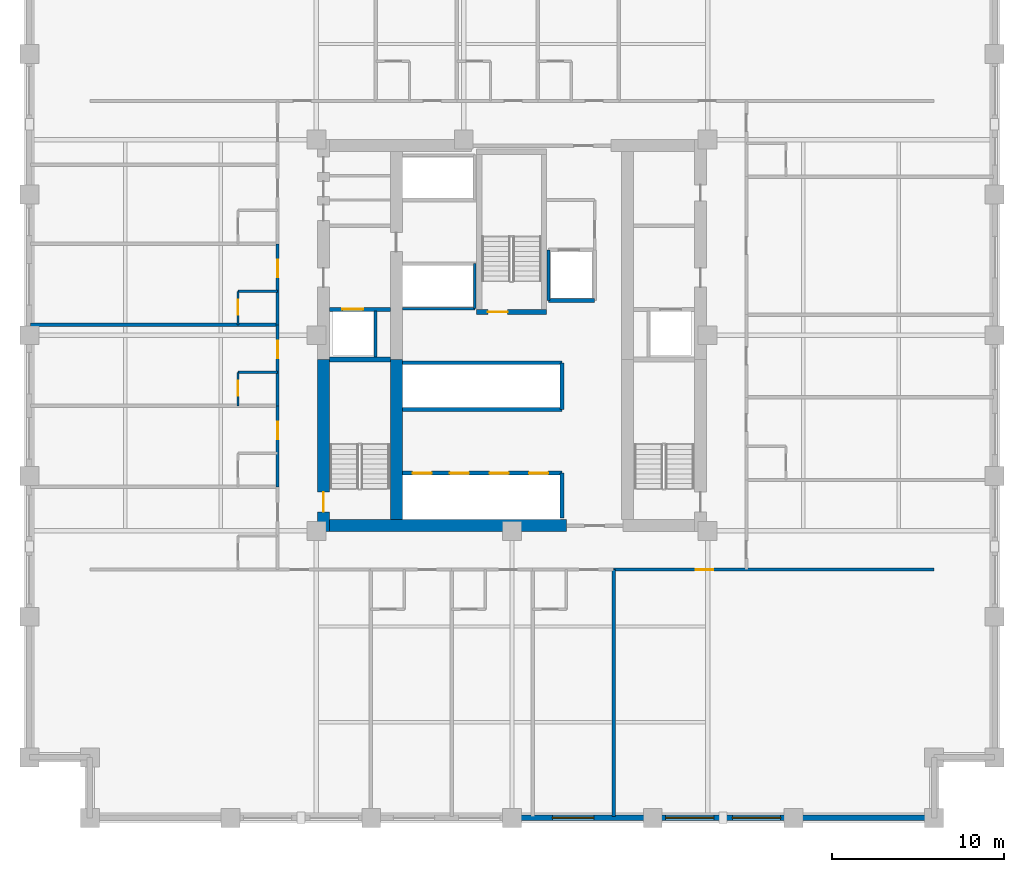
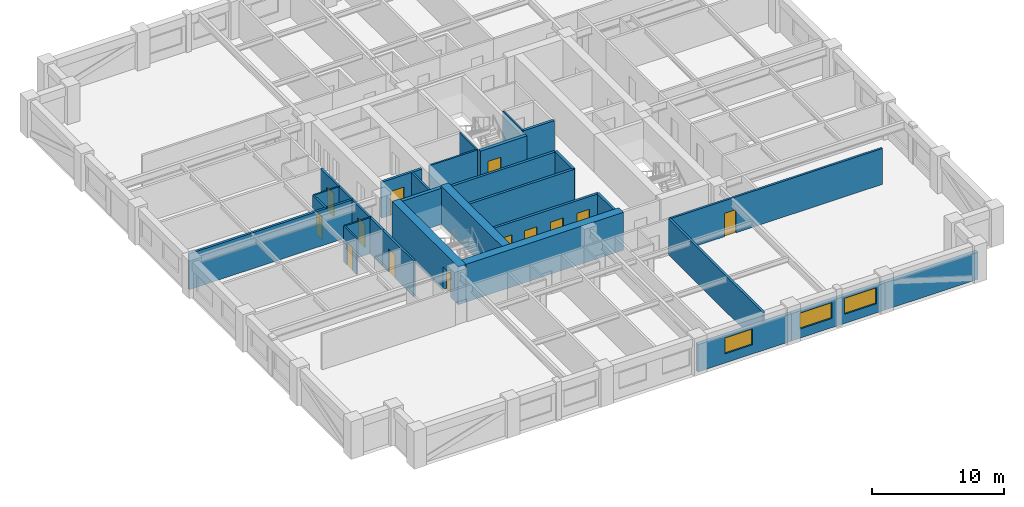
# One storey, part 3 of 8: 29 walls, 13 doors, 3 windows, 16 openings.
"""IFC4 building model written with IfcOpenShell, lengths in metres."""

from ifc_helpers import new_model, si_unit, direction, frame, frame_2d, origin, place, context, subcontext, project, spatial, rectangle, extrude, material, layer, layer_set, type_object, element, fill, save


model = new_model("IFC4")

# Units and contexts
model_context = context("Model", 3, precision=1e-05, world=origin(), true_north=direction((0.0, 1.0)))
body_context = subcontext(model_context, "Body", "Model", "MODEL_VIEW")
ifc_project = project(units=[si_unit("LENGTHUNIT", "METRE"), si_unit("AREAUNIT", "SQUARE_METRE"), si_unit("VOLUMEUNIT", "CUBIC_METRE"), si_unit("PLANEANGLEUNIT", "RADIAN"), si_unit("MASSUNIT", "GRAM", prefix="KILO")], contexts=[model_context])

# Site, building, storey
site_placement = place(None, origin())
site = spatial("IfcSite", under=ifc_project, at=site_placement, CompositionType="ELEMENT")
building_placement = place(site_placement, origin())
building = spatial("IfcBuilding", under=site, at=building_placement, Name="Nhamokura Convention Tower", CompositionType="ELEMENT")
storey_placement = place(building_placement, frame((0.0, 0.0, 42.35009765625)))
storey = spatial("IfcBuildingStorey", under=building, at=storey_placement, Name="L08", CompositionType="ELEMENT", Elevation=42.35009765625)

# Wall
ifc_material_1 = material(Name="Moisture-resistant tile-backer partition", Category="masonry")
ifc_layer_1 = layer(ifc_material_1, 0.139892578125)
ifc_layer_set_1 = layer_set([ifc_layer_1], Name="BathroomWetWall_140")
wall_type_1 = type_object("IfcWallType", Name="BathroomWetWall_140", PredefinedType="STANDARD", material=ifc_layer_set_1)
wall_1_placement = place(storey_placement, frame((16.10009765625, 29.85009765625, 0.0), z_axis=(0.0, 0.0, 1.0), x_axis=(1.0, 0.0, 0.0)))
element("IfcWall", 1, at=wall_1_placement, inside=storey, type_object=wall_type_1, Name="L08 Wall INT-L08-BW-W02N", PredefinedType="STANDARD", context=body_context, shape_type="SweptSolid", body=[
    extrude(rectangle(XDim=2.2998046875, YDim=0.139892578125, at=frame_2d((1.14990234375, 0.0))), origin(), (0.0, 0.0, 1.0), 3.31982421875),
])

# Wall, opening, door
wall_2_placement = place(storey_placement, frame((16.10009765625, 27.89990234375, 0.0), z_axis=(0.0, 0.0, 1.0), x_axis=(0.0, 1.0, 0.0)))
wall_2 = element("IfcWall", 2, at=wall_2_placement, inside=storey, type_object=wall_type_1, Name="L08 Wall INT-L08-BW-W02W", PredefinedType="STANDARD", context=body_context, shape_type="SweptSolid", body=[
    extrude(rectangle(XDim=1.9501953125, YDim=0.139892578125, at=frame_2d((0.97509765625, 0.0))), origin(), (0.0, 0.0, 1.0), 3.31982421875),
])
opening_1_placement = place(wall_2_placement, frame((0.580078125, 0.0, 0.0)))
opening_1 = element("IfcOpeningElement", 3, at=opening_1_placement, cuts=wall_2, Name="Opening D-11", PredefinedType="OPENING", context=body_context, shape_type="SweptSolid", body=[
    extrude(rectangle(XDim=0.8798828125, YDim=2.10009765625, at=frame_2d((0.43994140625, 1.050048828125))), frame((0.0, 0.079833984375, 0.0), z_axis=(0.0, -1.0, 0.0), x_axis=(1.0, 0.0, 0.0)), (0.0, 0.0, 1.0), 0.159912109375),
])
ifc_material_2 = material(Name="Solid oak hardwood", Category="wood")
door_type_1 = type_object("IfcDoorType", Name="BathroomDoor_880", OperationType="NOTDEFINED", PredefinedType="DOOR", material=ifc_material_2)
door_1_placement = place(opening_1_placement, origin())
door_1 = element("IfcDoor", 4, at=door_1_placement, inside=storey, type_object=door_type_1, Name="L08 Guest Room En-suite Door", OperationType="SINGLE_SWING_RIGHT", OverallHeight=2.10009765625, OverallWidth=0.8798828125, PredefinedType="DOOR", context=body_context, shape_type="SweptSolid", body=[
    extrude(rectangle(XDim=0.8798828125, YDim=2.10009765625, at=frame_2d((0.43994140625, 1.050048828125))), frame((0.0, 0.02490234375, 0.0), z_axis=(0.0, -1.0, 0.0), x_axis=(1.0, 0.0, 0.0)), (0.0, 0.0, 1.0), 0.050048828125),
])
fill(opening_1, door_1)

# Wall
wall_3_placement = place(storey_placement, frame((16.10009765625, 34.550048828125, 0.0), z_axis=(0.0, 0.0, 1.0), x_axis=(1.0, 0.0, 0.0)))
element("IfcWall", 5, at=wall_3_placement, inside=storey, type_object=wall_type_1, Name="L08 Wall INT-L08-BW-W03N", PredefinedType="STANDARD", context=body_context, shape_type="SweptSolid", body=[
    extrude(rectangle(XDim=2.2998046875, YDim=0.139892578125, at=frame_2d((1.14990234375, 0.0))), origin(), (0.0, 0.0, 1.0), 3.31982421875),
])

# Wall, opening, door
wall_4_placement = place(storey_placement, frame((16.10009765625, 32.60009765625, 0.0), z_axis=(0.0, 0.0, 1.0), x_axis=(0.0, 1.0, 0.0)))
wall_4 = element("IfcWall", 6, at=wall_4_placement, inside=storey, type_object=wall_type_1, Name="L08 Wall INT-L08-BW-W03W", PredefinedType="STANDARD", context=body_context, shape_type="SweptSolid", body=[
    extrude(rectangle(XDim=1.949951171875, YDim=0.139892578125, at=frame_2d((0.97509765625, 0.0))), origin(), (0.0, 0.0, 1.0), 3.31982421875),
])
opening_2_placement = place(wall_4_placement, frame((0.580078125, 0.0, 0.0)))
opening_2 = element("IfcOpeningElement", 7, at=opening_2_placement, cuts=wall_4, Name="Opening D-11", PredefinedType="OPENING", context=body_context, shape_type="SweptSolid", body=[
    extrude(rectangle(XDim=0.8798828125, YDim=2.10009765625, at=frame_2d((0.43994140625, 1.050048828125))), frame((0.0, 0.079833984375, 0.0), z_axis=(0.0, -1.0, 0.0), x_axis=(1.0, 0.0, 0.0)), (0.0, 0.0, 1.0), 0.159912109375),
])
door_2_placement = place(opening_2_placement, origin())
door_2 = element("IfcDoor", 8, at=door_2_placement, inside=storey, type_object=door_type_1, Name="L08 Club Room En-suite Door", OperationType="SINGLE_SWING_RIGHT", OverallHeight=2.10009765625, OverallWidth=0.8798828125, PredefinedType="DOOR", context=body_context, shape_type="SweptSolid", body=[
    extrude(rectangle(XDim=0.8798828125, YDim=2.10009765625, at=frame_2d((0.43994140625, 1.050048828125))), frame((0.0, 0.02490234375, 0.0), z_axis=(0.0, -1.0, 0.0), x_axis=(1.0, 0.0, 0.0)), (0.0, 0.0, 1.0), 0.050048828125),
])
fill(opening_2, door_2)

# Wall, opening, window
ifc_material_3 = material(Name="Bronze-pigmented precast concrete C45/55", Category="concrete")
ifc_layer_2 = layer(ifc_material_3, 0.320068359375)
ifc_layer_set_2 = layer_set([ifc_layer_2], Name="BronzePrecastSpandrel_320")
wall_type_2 = type_object("IfcWallType", Name="BronzePrecastSpandrel_320", PredefinedType="USERDEFINED", material=ifc_layer_set_2)
wall_5_placement = place(storey_placement, frame((40.166748046875, 4.0, 0.0), z_axis=(0.0, 0.0, 1.0), x_axis=(-1.0, 0.0, 0.0)))
wall_5 = element("IfcWall", 9, at=wall_5_placement, inside=storey, type_object=wall_type_2, Name="L08 Masonry-Frame Wall SOUTH 3", ObjectType="SPANDREL_WALL", PredefinedType="USERDEFINED", context=body_context, shape_type="SweptSolid", body=[
    extrude(rectangle(XDim=8.166748046875, YDim=0.320068359375, at=frame_2d((4.08349609375, 0.0))), origin(), (0.0, 0.0, 1.0), 2.52001953125),
])
opening_3_placement = place(wall_5_placement, frame((3.416748046875, 0.0, 0.85009765625)))
opening_3 = element("IfcOpeningElement", 10, at=opening_3_placement, cuts=wall_5, Name="Opening W-03", PredefinedType="OPENING", context=body_context, shape_type="SweptSolid", body=[
    extrude(rectangle(XDim=2.39990234375, YDim=1.469970703125, at=frame_2d((1.199951171875, 0.73486328125))), frame((0.0, 0.169921875, 0.0), z_axis=(0.0, -1.0, 0.0), x_axis=(1.0, 0.0, 0.0)), (0.0, 0.0, 1.0), 0.340087890625),
])
ifc_material_4 = material(Name="Solar-control bronze low-E double glass", Category="glass")
window_type_1 = type_object("IfcWindowType", Name="HotelBayWindow_2400", PartitioningType="DOUBLE_PANEL_VERTICAL", PredefinedType="WINDOW", material=ifc_material_4)
window_1_placement = place(opening_3_placement, origin())
window_1 = element("IfcWindow", 11, at=window_1_placement, inside=storey, type_object=window_type_1, Name="L08 Facade Window SOUTH 3-2", OverallHeight=1.469970703125, OverallWidth=2.39990234375, PartitioningType="SINGLE_PANEL", PredefinedType="WINDOW", context=body_context, shape_type="SweptSolid", body=[
    extrude(rectangle(XDim=2.39990234375, YDim=1.469970703125, at=frame_2d((1.199951171875, 0.73486328125))), frame((0.0, 0.030029296875, 0.0), z_axis=(0.0, -1.0, 0.0), x_axis=(1.0, 0.0, 0.0)), (0.0, 0.0, 1.0), 0.06005859375),
])
fill(opening_3, window_1)

# Wall, openings, windows
wall_6_placement = place(storey_placement, frame((48.333251953125, 4.0, 0.0), z_axis=(0.0, 0.0, 1.0), x_axis=(-1.0, 0.0, 0.0)))
wall_6 = element("IfcWall", 12, at=wall_6_placement, inside=storey, type_object=wall_type_2, Name="L08 Masonry-Frame Wall SOUTH 4", ObjectType="SPANDREL_WALL", PredefinedType="USERDEFINED", context=body_context, shape_type="SweptSolid", body=[
    extrude(rectangle(XDim=8.16650390625, YDim=0.320068359375, at=frame_2d((4.083251953125, 0.0))), origin(), (0.0, 0.0, 1.0), 2.52001953125),
])
opening_4_placement = place(wall_6_placement, frame((0.74169921875, 0.0, 0.85009765625)))
opening_4 = element("IfcOpeningElement", 13, at=opening_4_placement, cuts=wall_6, Name="Opening W-04", PredefinedType="OPENING", context=body_context, shape_type="SweptSolid", body=[
    extrude(rectangle(XDim=2.800048828125, YDim=1.469970703125, at=frame_2d((1.39990234375, 0.73486328125))), frame((0.0, 0.169921875, 0.0), z_axis=(0.0, -1.0, 0.0), x_axis=(1.0, 0.0, 0.0)), (0.0, 0.0, 1.0), 0.340087890625),
])
opening_5_placement = place(wall_6_placement, frame((4.625, 0.0, 0.85009765625)))
opening_5 = element("IfcOpeningElement", 14, at=opening_5_placement, cuts=wall_6, Name="Opening W-04", PredefinedType="OPENING", context=body_context, shape_type="SweptSolid", body=[
    extrude(rectangle(XDim=2.800048828125, YDim=1.469970703125, at=frame_2d((1.39990234375, 0.73486328125))), frame((0.0, 0.169921875, 0.0), z_axis=(0.0, -1.0, 0.0), x_axis=(1.0, 0.0, 0.0)), (0.0, 0.0, 1.0), 0.340087890625),
])
ifc_material_5 = material(Name="Solar-control bronze low-E double glass", Category="glass")
window_type_2 = type_object("IfcWindowType", Name="HotelSuiteWindow_2800", PartitioningType="DOUBLE_PANEL_VERTICAL", PredefinedType="WINDOW", material=ifc_material_5)
window_2_placement = place(opening_4_placement, origin())
window_2 = element("IfcWindow", 15, at=window_2_placement, inside=storey, type_object=window_type_2, Name="L08 Facade Window SOUTH 4-1", OverallHeight=1.469970703125, OverallWidth=2.800048828125, PartitioningType="SINGLE_PANEL", PredefinedType="WINDOW", context=body_context, shape_type="SweptSolid", body=[
    extrude(rectangle(XDim=2.800048828125, YDim=1.469970703125, at=frame_2d((1.39990234375, 0.73486328125))), frame((0.0, 0.030029296875, 0.0), z_axis=(0.0, -1.0, 0.0), x_axis=(1.0, 0.0, 0.0)), (0.0, 0.0, 1.0), 0.06005859375),
])
fill(opening_4, window_2)
window_3_placement = place(opening_5_placement, origin())
window_3 = element("IfcWindow", 16, at=window_3_placement, inside=storey, type_object=window_type_2, Name="L08 Facade Window SOUTH 4-2", OverallHeight=1.469970703125, OverallWidth=2.800048828125, PartitioningType="SINGLE_PANEL", PredefinedType="WINDOW", context=body_context, shape_type="SweptSolid", body=[
    extrude(rectangle(XDim=2.800048828125, YDim=1.469970703125, at=frame_2d((1.39990234375, 0.73486328125))), frame((0.0, 0.030029296875, 0.0), z_axis=(0.0, -1.0, 0.0), x_axis=(1.0, 0.0, 0.0)), (0.0, 0.0, 1.0), 0.06005859375),
])
fill(opening_5, window_3)

# Wall
wall_7_placement = place(storey_placement, frame((56.5, 4.0, 0.0), z_axis=(0.0, 0.0, 1.0), x_axis=(-1.0, 0.0, 0.0)))
element("IfcWall", 17, at=wall_7_placement, inside=storey, type_object=wall_type_2, Name="L08 Braced-Bay Precast Wall SOUTH 5", ObjectType="SPANDREL_WALL", PredefinedType="USERDEFINED", context=body_context, shape_type="SweptSolid", body=[
    extrude(rectangle(XDim=8.166748046875, YDim=0.320068359375, at=frame_2d((4.08349609375, 0.0))), origin(), (0.0, 0.0, 1.0), 2.52001953125),
])

# Wall, opening, door
ifc_material_6 = material(Name="Concrete C70/85", Category="concrete")
ifc_layer_3 = layer(ifc_material_6, 0.699951171875)
ifc_layer_set_3 = layer_set([ifc_layer_3], Name="CoreShearWall_700")
wall_type_3 = type_object("IfcWallType", Name="CoreShearWall_700", PredefinedType="SHEAR", material=ifc_layer_set_3)
wall_8_placement = place(storey_placement, frame((21.06005859375, 20.60009765625, 0.0), z_axis=(0.0, 0.0, 1.0), x_axis=(0.0, 1.0, 0.0)))
wall_8 = element("IfcWall", 18, at=wall_8_placement, inside=storey, type_object=wall_type_3, Name="L08 Core Shear Wall CW-WS", PredefinedType="SHEAR", context=body_context, shape_type="SweptSolid", body=[
    extrude(rectangle(XDim=10.0, YDim=0.699951171875, at=frame_2d((5.0, 0.0))), origin(), (0.0, 0.0, 1.0), 3.5),
])
opening_6_placement = place(wall_8_placement, frame((1.14990234375, 0.0, 0.0)))
opening_6 = element("IfcOpeningElement", 19, at=opening_6_placement, cuts=wall_8, Name="Opening D-04", PredefinedType="OPENING", context=body_context, shape_type="SweptSolid", body=[
    extrude(rectangle(XDim=1.14990234375, YDim=2.14990234375, at=frame_2d((0.574951171875, 1.074951171875))), frame((0.0, 0.35986328125, 0.0), z_axis=(0.0, -1.0, 0.0), x_axis=(1.0, 0.0, 0.0)), (0.0, 0.0, 1.0), 0.719970703125),
])
ifc_material_7 = material(Name="Fire-rated steel door", Category="steel")
door_type_2 = type_object("IfcDoorType", Name="StairSmokeDoor_1150", OperationType="NOTDEFINED", PredefinedType="DOOR", material=ifc_material_7)
door_3_placement = place(opening_6_placement, origin())
door_3 = element("IfcDoor", 20, at=door_3_placement, inside=storey, type_object=door_type_2, Name="L08 Core Door INT-L08-D-ST01", OperationType="SINGLE_SWING_LEFT", OverallHeight=2.14990234375, OverallWidth=1.14990234375, PredefinedType="DOOR", context=body_context, shape_type="SweptSolid", body=[
    extrude(rectangle(XDim=1.14990234375, YDim=2.14990234375, at=frame_2d((0.574951171875, 1.074951171875))), frame((0.0, 0.02490234375, 0.0), z_axis=(0.0, -1.0, 0.0), x_axis=(1.0, 0.0, 0.0)), (0.0, 0.0, 1.0), 0.050048828125),
])
fill(opening_6, door_3)

# Walls
wall_9_placement = place(storey_placement, frame((21.409912109375, 20.949951171875, 0.0), z_axis=(0.0, 0.0, 1.0), x_axis=(1.0, 0.0, 0.0)))
element("IfcWall", 21, at=wall_9_placement, inside=storey, type_object=wall_type_3, Name="L08 Core Shear Wall CW-S1", PredefinedType="SHEAR", context=body_context, shape_type="SweptSolid", body=[
    extrude(rectangle(XDim=13.739990234375, YDim=0.699951171875, at=frame_2d((6.8701171875, 0.0))), origin(), (0.0, 0.0, 1.0), 3.5),
])
wall_10_placement = place(storey_placement, frame((25.2900390625, 21.300048828125, 0.0), z_axis=(0.0, 0.0, 1.0), x_axis=(0.0, 1.0, 0.0)))
element("IfcWall", 22, at=wall_10_placement, inside=storey, type_object=wall_type_3, Name="L08 Core Shear Wall CW-IWS", PredefinedType="SHEAR", context=body_context, shape_type="SweptSolid", body=[
    extrude(rectangle(XDim=9.300048828125, YDim=0.699951171875, at=frame_2d((4.64990234375, 0.0))), origin(), (0.0, 0.0, 1.0), 3.5),
])

# Wall, opening, door
ifc_material_8 = material(Name="Fire-rated gypsum and masonry partition", Category="masonry")
ifc_layer_4 = layer(ifc_material_8, 0.179931640625)
ifc_layer_set_4 = layer_set([ifc_layer_4], Name="CorridorRatedWall_180")
wall_type_4 = type_object("IfcWallType", Name="CorridorRatedWall_180", PredefinedType="STANDARD", material=ifc_layer_set_4)
wall_11_placement = place(storey_placement, frame((37.89990234375, 18.39990234375, 0.0), z_axis=(0.0, 0.0, 1.0), x_axis=(1.0, 0.0, 0.0)))
wall_11 = element("IfcWall", 23, at=wall_11_placement, inside=storey, type_object=wall_type_4, Name="L08 Wall INT-L08-CW-S04", PredefinedType="STANDARD", context=body_context, shape_type="SweptSolid", body=[
    extrude(rectangle(XDim=18.60009765625, YDim=0.179931640625, at=frame_2d((9.300048828125, 0.0))), origin(), (0.0, 0.0, 1.0), 3.31982421875),
])
opening_7_placement = place(wall_11_placement, frame((4.77490234375, 0.0, 0.0)))
opening_7 = element("IfcOpeningElement", 24, at=opening_7_placement, cuts=wall_11, Name="Opening D-07", PredefinedType="OPENING", context=body_context, shape_type="SweptSolid", body=[
    extrude(rectangle(XDim=1.0, YDim=2.14990234375, at=frame_2d((0.5, 1.074951171875))), frame((0.0, 0.099853515625, 0.0), z_axis=(0.0, -1.0, 0.0), x_axis=(1.0, 0.0, 0.0)), (0.0, 0.0, 1.0), 0.199951171875),
])
ifc_material_9 = material(Name="Solid oak hardwood", Category="wood")
door_type_3 = type_object("IfcDoorType", Name="HotelSuiteEntryDoor_1000", OperationType="NOTDEFINED", PredefinedType="DOOR", material=ifc_material_9)
door_4_placement = place(opening_7_placement, origin())
door_4 = element("IfcDoor", 25, at=door_4_placement, inside=storey, type_object=door_type_3, Name="L08 Conference Salon S05 Door", OperationType="SINGLE_SWING_LEFT", OverallHeight=2.14990234375, OverallWidth=1.0, PredefinedType="DOOR", context=body_context, shape_type="SweptSolid", body=[
    extrude(rectangle(XDim=1.0, YDim=2.14990234375, at=frame_2d((0.5, 1.074951171875))), frame((0.0, 0.02490234375, 0.0), z_axis=(0.0, -1.0, 0.0), x_axis=(1.0, 0.0, 0.0)), (0.0, 0.0, 1.0), 0.050048828125),
])
fill(opening_7, door_4)

wall_12_placement = place(storey_placement, frame((18.39990234375, 23.199951171875, 0.0), z_axis=(0.0, 0.0, 1.0), x_axis=(0.0, 1.0, 0.0)))
wall_12 = element("IfcWall", 26, at=wall_12_placement, inside=storey, type_object=wall_type_4, Name="L08 Wall INT-L08-CW-W01", PredefinedType="STANDARD", context=body_context, shape_type="SweptSolid", body=[
    extrude(rectangle(XDim=4.699951171875, YDim=0.179931640625, at=frame_2d((2.35009765625, 0.0))), origin(), (0.0, 0.0, 1.0), 3.31982421875),
])
opening_8_placement = place(wall_12_placement, frame((2.77490234375, 0.0, 0.0)))
opening_8 = element("IfcOpeningElement", 27, at=opening_8_placement, cuts=wall_12, Name="Opening D-07", PredefinedType="OPENING", context=body_context, shape_type="SweptSolid", body=[
    extrude(rectangle(XDim=1.0, YDim=2.14990234375, at=frame_2d((0.5, 1.074951171875))), frame((0.0, 0.099853515625, 0.0), z_axis=(0.0, -1.0, 0.0), x_axis=(1.0, 0.0, 0.0)), (0.0, 0.0, 1.0), 0.199951171875),
])
door_5_placement = place(opening_8_placement, origin())
door_5 = element("IfcDoor", 28, at=door_5_placement, inside=storey, type_object=door_type_3, Name="L08 Club Room W02 Door", OperationType="SINGLE_SWING_RIGHT", OverallHeight=2.14990234375, OverallWidth=1.0, PredefinedType="DOOR", context=body_context, shape_type="SweptSolid", body=[
    extrude(rectangle(XDim=1.0, YDim=2.14990234375, at=frame_2d((0.5, 1.074951171875))), frame((0.0, 0.02490234375, 0.0), z_axis=(0.0, -1.0, 0.0), x_axis=(1.0, 0.0, 0.0)), (0.0, 0.0, 1.0), 0.050048828125),
])
fill(opening_8, door_5)

wall_13_placement = place(storey_placement, frame((18.39990234375, 27.89990234375, 0.0), z_axis=(0.0, 0.0, 1.0), x_axis=(0.0, 1.0, 0.0)))
wall_13 = element("IfcWall", 29, at=wall_13_placement, inside=storey, type_object=wall_type_4, Name="L08 Wall INT-L08-CW-W02", PredefinedType="STANDARD", context=body_context, shape_type="SweptSolid", body=[
    extrude(rectangle(XDim=4.7001953125, YDim=0.179931640625, at=frame_2d((2.35009765625, 0.0))), origin(), (0.0, 0.0, 1.0), 3.31982421875),
])
opening_9_placement = place(wall_13_placement, frame((2.77490234375, 0.0, 0.0)))
opening_9 = element("IfcOpeningElement", 30, at=opening_9_placement, cuts=wall_13, Name="Opening D-07", PredefinedType="OPENING", context=body_context, shape_type="SweptSolid", body=[
    extrude(rectangle(XDim=1.0, YDim=2.14990234375, at=frame_2d((0.5, 1.074951171875))), frame((0.0, 0.099853515625, 0.0), z_axis=(0.0, -1.0, 0.0), x_axis=(1.0, 0.0, 0.0)), (0.0, 0.0, 1.0), 0.199951171875),
])
door_6_placement = place(opening_9_placement, origin())
door_6 = element("IfcDoor", 31, at=door_6_placement, inside=storey, type_object=door_type_3, Name="L08 Guest Room W03 Door", OperationType="SINGLE_SWING_LEFT", OverallHeight=2.14990234375, OverallWidth=1.0, PredefinedType="DOOR", context=body_context, shape_type="SweptSolid", body=[
    extrude(rectangle(XDim=1.0, YDim=2.14990234375, at=frame_2d((0.5, 1.074951171875))), frame((0.0, 0.02490234375, 0.0), z_axis=(0.0, -1.0, 0.0), x_axis=(1.0, 0.0, 0.0)), (0.0, 0.0, 1.0), 0.050048828125),
])
fill(opening_9, door_6)

wall_14_placement = place(storey_placement, frame((18.39990234375, 32.60009765625, 0.0), z_axis=(0.0, 0.0, 1.0), x_axis=(0.0, 1.0, 0.0)))
wall_14 = element("IfcWall", 32, at=wall_14_placement, inside=storey, type_object=wall_type_4, Name="L08 Wall INT-L08-CW-W03", PredefinedType="STANDARD", context=body_context, shape_type="SweptSolid", body=[
    extrude(rectangle(XDim=4.699951171875, YDim=0.179931640625, at=frame_2d((2.35009765625, 0.0))), origin(), (0.0, 0.0, 1.0), 3.31982421875),
])
opening_10_placement = place(wall_14_placement, frame((2.77490234375, 0.0, 0.0)))
opening_10 = element("IfcOpeningElement", 33, at=opening_10_placement, cuts=wall_14, Name="Opening D-07", PredefinedType="OPENING", context=body_context, shape_type="SweptSolid", body=[
    extrude(rectangle(XDim=1.0, YDim=2.14990234375, at=frame_2d((0.5, 1.074951171875))), frame((0.0, 0.099853515625, 0.0), z_axis=(0.0, -1.0, 0.0), x_axis=(1.0, 0.0, 0.0)), (0.0, 0.0, 1.0), 0.199951171875),
])
door_7_placement = place(opening_10_placement, origin())
door_7 = element("IfcDoor", 34, at=door_7_placement, inside=storey, type_object=door_type_3, Name="L08 Club Room W04 Door", OperationType="SINGLE_SWING_RIGHT", OverallHeight=2.14990234375, OverallWidth=1.0, PredefinedType="DOOR", context=body_context, shape_type="SweptSolid", body=[
    extrude(rectangle(XDim=1.0, YDim=2.14990234375, at=frame_2d((0.5, 1.074951171875))), frame((0.0, 0.02490234375, 0.0), z_axis=(0.0, -1.0, 0.0), x_axis=(1.0, 0.0, 0.0)), (0.0, 0.0, 1.0), 0.050048828125),
])
fill(opening_10, door_7)

ifc_material_10 = material(Name="Autoclaved concrete blockwork", Category="masonry")
ifc_layer_5 = layer(ifc_material_10, 0.219970703125)
ifc_layer_set_5 = layer_set([ifc_layer_5], Name="FireLobbyWall_220")
wall_type_5 = type_object("IfcWallType", Name="FireLobbyWall_220", PredefinedType="STANDARD", material=ifc_layer_set_5)
wall_15_placement = place(storey_placement, frame((21.409912109375, 33.5, 0.0), z_axis=(0.0, 0.0, 1.0), x_axis=(1.0, 0.0, 0.0)))
wall_15 = element("IfcWall", 35, at=wall_15_placement, inside=storey, type_object=wall_type_5, Name="L08 Wall INT-L08-FFW-S", PredefinedType="STANDARD", context=body_context, shape_type="SweptSolid", body=[
    extrude(rectangle(XDim=3.530029296875, YDim=0.219970703125, at=frame_2d((1.76513671875, 0.0))), origin(), (0.0, 0.0, 1.0), 3.31982421875),
])
opening_11_placement = place(wall_15_placement, frame((0.75, 0.0, 0.0)))
opening_11 = element("IfcOpeningElement", 36, at=opening_11_placement, cuts=wall_15, Name="Opening LD-02", PredefinedType="OPENING", context=body_context, shape_type="SweptSolid", body=[
    extrude(rectangle(XDim=1.199951171875, YDim=2.199951171875, at=frame_2d((0.60009765625, 1.10009765625))), frame((0.0, 0.119873046875, 0.0), z_axis=(0.0, -1.0, 0.0), x_axis=(1.0, 0.0, 0.0)), (0.0, 0.0, 1.0), 0.239990234375),
])
ifc_material_11 = material(Name="Anodised bronze stainless steel", Category="steel")
door_type_4 = type_object("IfcDoorType", Name="LiftLandingDoor_FireService", OperationType="DOUBLE_DOOR_SLIDING", PredefinedType="DOOR", material=ifc_material_11)
door_8_placement = place(opening_11_placement, origin())
door_8 = element("IfcDoor", 37, at=door_8_placement, inside=storey, type_object=door_type_4, Name="L08 Firefighting Lift LF-01 Door", OperationType="DOUBLE_DOOR_SLIDING", OverallHeight=2.199951171875, OverallWidth=1.199951171875, PredefinedType="DOOR", context=body_context, shape_type="SweptSolid", body=[
    extrude(rectangle(XDim=1.199951171875, YDim=2.199951171875, at=frame_2d((0.60009765625, 1.10009765625))), frame((0.0, 0.02490234375, 0.0), z_axis=(0.0, -1.0, 0.0), x_axis=(1.0, 0.0, 0.0)), (0.0, 0.0, 1.0), 0.050048828125),
])
fill(opening_11, door_8)

# Wall, openings, doors
wall_16_placement = place(storey_placement, frame((25.64990234375, 24.0, 0.0), z_axis=(0.0, 0.0, 1.0), x_axis=(1.0, 0.0, 0.0)))
wall_16 = element("IfcWall", 38, at=wall_16_placement, inside=storey, type_object=wall_type_5, Name="L08 Wall INT-L08-B1N", PredefinedType="STANDARD", context=body_context, shape_type="SweptSolid", body=[
    extrude(rectangle(XDim=9.25, YDim=0.219970703125, at=frame_2d((4.625, 0.0))), origin(), (0.0, 0.0, 1.0), 3.31982421875),
])
opening_12_placement = place(wall_16_placement, frame((0.580078125, 0.0, 0.0)))
opening_12 = element("IfcOpeningElement", 39, at=opening_12_placement, cuts=wall_16, Name="Opening LD-01", PredefinedType="OPENING", context=body_context, shape_type="SweptSolid", body=[
    extrude(rectangle(XDim=1.10009765625, YDim=2.14990234375, at=frame_2d((0.550048828125, 1.074951171875))), frame((0.0, 0.119873046875, 0.0), z_axis=(0.0, -1.0, 0.0), x_axis=(1.0, 0.0, 0.0)), (0.0, 0.0, 1.0), 0.239990234375),
])
opening_13_placement = place(wall_16_placement, frame((2.75, 0.0, 0.0)))
opening_13 = element("IfcOpeningElement", 40, at=opening_13_placement, cuts=wall_16, Name="Opening LD-01", PredefinedType="OPENING", context=body_context, shape_type="SweptSolid", body=[
    extrude(rectangle(XDim=1.10009765625, YDim=2.14990234375, at=frame_2d((0.550048828125, 1.074951171875))), frame((0.0, 0.119873046875, 0.0), z_axis=(0.0, -1.0, 0.0), x_axis=(1.0, 0.0, 0.0)), (0.0, 0.0, 1.0), 0.239990234375),
])
opening_14_placement = place(wall_16_placement, frame((5.050048828125, 0.0, 0.0)))
opening_14 = element("IfcOpeningElement", 41, at=opening_14_placement, cuts=wall_16, Name="Opening LD-01", PredefinedType="OPENING", context=body_context, shape_type="SweptSolid", body=[
    extrude(rectangle(XDim=1.10009765625, YDim=2.14990234375, at=frame_2d((0.550048828125, 1.074951171875))), frame((0.0, 0.119873046875, 0.0), z_axis=(0.0, -1.0, 0.0), x_axis=(1.0, 0.0, 0.0)), (0.0, 0.0, 1.0), 0.239990234375),
])
opening_15_placement = place(wall_16_placement, frame((7.35009765625, 0.0, 0.0)))
opening_15 = element("IfcOpeningElement", 42, at=opening_15_placement, cuts=wall_16, Name="Opening LD-01", PredefinedType="OPENING", context=body_context, shape_type="SweptSolid", body=[
    extrude(rectangle(XDim=1.10009765625, YDim=2.14990234375, at=frame_2d((0.550048828125, 1.074951171875))), frame((0.0, 0.119873046875, 0.0), z_axis=(0.0, -1.0, 0.0), x_axis=(1.0, 0.0, 0.0)), (0.0, 0.0, 1.0), 0.239990234375),
])
ifc_material_12 = material(Name="Anodised bronze stainless steel", Category="steel")
door_type_5 = type_object("IfcDoorType", Name="LiftLandingDoor_Passenger", OperationType="DOUBLE_DOOR_SLIDING", PredefinedType="DOOR", material=ifc_material_12)
door_9_placement = place(opening_12_placement, origin())
door_9 = element("IfcDoor", 43, at=door_9_placement, inside=storey, type_object=door_type_5, Name="L08 Lift LP-01 Landing Door", OperationType="DOUBLE_DOOR_SLIDING", OverallHeight=2.14990234375, OverallWidth=1.10009765625, PredefinedType="DOOR", context=body_context, shape_type="SweptSolid", body=[
    extrude(rectangle(XDim=1.10009765625, YDim=2.14990234375, at=frame_2d((0.550048828125, 1.074951171875))), frame((0.0, 0.02490234375, 0.0), z_axis=(0.0, -1.0, 0.0), x_axis=(1.0, 0.0, 0.0)), (0.0, 0.0, 1.0), 0.050048828125),
])
fill(opening_12, door_9)
door_10_placement = place(opening_13_placement, origin())
door_10 = element("IfcDoor", 44, at=door_10_placement, inside=storey, type_object=door_type_5, Name="L08 Lift LP-02 Landing Door", OperationType="DOUBLE_DOOR_SLIDING", OverallHeight=2.14990234375, OverallWidth=1.10009765625, PredefinedType="DOOR", context=body_context, shape_type="SweptSolid", body=[
    extrude(rectangle(XDim=1.10009765625, YDim=2.14990234375, at=frame_2d((0.550048828125, 1.074951171875))), frame((0.0, 0.02490234375, 0.0), z_axis=(0.0, -1.0, 0.0), x_axis=(1.0, 0.0, 0.0)), (0.0, 0.0, 1.0), 0.050048828125),
])
fill(opening_13, door_10)
door_11_placement = place(opening_14_placement, origin())
door_11 = element("IfcDoor", 45, at=door_11_placement, inside=storey, type_object=door_type_5, Name="L08 Lift LP-03 Landing Door", OperationType="DOUBLE_DOOR_SLIDING", OverallHeight=2.14990234375, OverallWidth=1.10009765625, PredefinedType="DOOR", context=body_context, shape_type="SweptSolid", body=[
    extrude(rectangle(XDim=1.10009765625, YDim=2.14990234375, at=frame_2d((0.550048828125, 1.074951171875))), frame((0.0, 0.02490234375, 0.0), z_axis=(0.0, -1.0, 0.0), x_axis=(1.0, 0.0, 0.0)), (0.0, 0.0, 1.0), 0.050048828125),
])
fill(opening_14, door_11)
door_12_placement = place(opening_15_placement, origin())
door_12 = element("IfcDoor", 46, at=door_12_placement, inside=storey, type_object=door_type_5, Name="L08 Lift LP-04 Landing Door", OperationType="DOUBLE_DOOR_SLIDING", OverallHeight=2.14990234375, OverallWidth=1.10009765625, PredefinedType="DOOR", context=body_context, shape_type="SweptSolid", body=[
    extrude(rectangle(XDim=1.10009765625, YDim=2.14990234375, at=frame_2d((0.550048828125, 1.074951171875))), frame((0.0, 0.02490234375, 0.0), z_axis=(0.0, -1.0, 0.0), x_axis=(1.0, 0.0, 0.0)), (0.0, 0.0, 1.0), 0.050048828125),
])
fill(opening_15, door_12)

# Walls
wall_17_placement = place(storey_placement, frame((34.89990234375, 21.39990234375, 0.0), z_axis=(0.0, 0.0, 1.0), x_axis=(0.0, 1.0, 0.0)))
element("IfcWall", 47, at=wall_17_placement, inside=storey, type_object=wall_type_5, Name="L08 Wall INT-L08-B1E", PredefinedType="STANDARD", context=body_context, shape_type="SweptSolid", body=[
    extrude(rectangle(XDim=2.60009765625, YDim=0.219970703125, at=frame_2d((1.300048828125, 0.0))), origin(), (0.0, 0.0, 1.0), 3.31982421875),
])
for number, where, z_axis, x_axis, name in (
    (48, (25.64990234375, 27.699951171875, 0.0), (0.0, 0.0, 1.0), (1.0, 0.0, 0.0), "L08 Wall INT-L08-B2S"),
    (49, (25.64990234375, 30.39990234375, 0.0), (0.0, 0.0, 1.0), (1.0, 0.0, 0.0), "L08 Wall INT-L08-B2N"),
):
    element("IfcWall", number, at=place(storey_placement, frame(where, z_axis=z_axis, x_axis=x_axis)), inside=storey, type_object=wall_type_5, Name=name, PredefinedType="STANDARD", context=body_context, shape_type="SweptSolid", body=[
        extrude(rectangle(XDim=9.25, YDim=0.219970703125, at=frame_2d((4.625, 0.0))), origin(), (0.0, 0.0, 1.0), 3.31982421875),
    ])
wall_18_placement = place(storey_placement, frame((34.89990234375, 27.699951171875, 0.0), z_axis=(0.0, 0.0, 1.0), x_axis=(0.0, 1.0, 0.0)))
element("IfcWall", 50, at=wall_18_placement, inside=storey, type_object=wall_type_5, Name="L08 Wall INT-L08-B2E", PredefinedType="STANDARD", context=body_context, shape_type="SweptSolid", body=[
    extrude(rectangle(XDim=2.699951171875, YDim=0.219970703125, at=frame_2d((1.35009765625, 0.0))), origin(), (0.0, 0.0, 1.0), 3.31982421875),
])
wall_19_placement = place(storey_placement, frame((34.1201171875, 34.02001953125, 0.0), z_axis=(0.0, 0.0, 1.0), x_axis=(1.0, 0.0, 0.0)))
element("IfcWall", 51, at=wall_19_placement, inside=storey, type_object=wall_type_5, Name="L08 Wall INT-L08-LSS", PredefinedType="STANDARD", context=body_context, shape_type="SweptSolid", body=[
    extrude(rectangle(XDim=2.679931640625, YDim=0.219970703125, at=frame_2d((1.33984375, 0.0))), origin(), (0.0, 0.0, 1.0), 3.31982421875),
])
ifc_material_13 = material(Name="Acoustic twin-stud gypsum partition", Category="masonry")
ifc_layer_6 = layer(ifc_material_13, 0.199951171875)
ifc_layer_set_6 = layer_set([ifc_layer_6], Name="HotelDemisingWall_200")
wall_type_6 = type_object("IfcWallType", Name="HotelDemisingWall_200", PredefinedType="STANDARD", material=ifc_layer_set_6)
for number, where, z_axis, x_axis, name in (
    (52, (37.89990234375, 4.06005859375, 0.0), (0.0, 0.0, 1.0), (0.0, 1.0, 0.0), "L08 Wall INT-L08-RW-S04"),
    (53, (4.06005859375, 32.60009765625, 0.0), (0.0, 0.0, 1.0), (1.0, 0.0, 0.0), "L08 Wall INT-L08-RW-W03"),
):
    element("IfcWall", number, at=place(storey_placement, frame(where, z_axis=z_axis, x_axis=x_axis)), inside=storey, type_object=wall_type_6, Name=name, PredefinedType="STANDARD", context=body_context, shape_type="SweptSolid", body=[
        extrude(rectangle(XDim=14.33984375, YDim=0.199951171875, at=frame_2d((7.169921875, 0.0))), origin(), (0.0, 0.0, 1.0), 3.31982421875),
    ])
ifc_material_14 = material(Name="Acoustic gypsum stud partition", Category="masonry")
ifc_layer_7 = layer(ifc_material_14, 0.14990234375)
ifc_layer_set_7 = layer_set([ifc_layer_7], Name="InteriorPartition_150")
wall_type_7 = type_object("IfcWallType", Name="InteriorPartition_150", PredefinedType="STANDARD", material=ifc_layer_set_7)
wall_20_placement = place(storey_placement, frame((24.080078125, 30.75, 0.0), z_axis=(0.0, 0.0, 1.0), x_axis=(0.0, 1.0, 0.0)))
element("IfcWall", 54, at=wall_20_placement, inside=storey, type_object=wall_type_7, Name="L08 Wall INT-L08-FF1-E", PredefinedType="STANDARD", context=body_context, shape_type="SweptSolid", body=[
    extrude(rectangle(XDim=2.64990234375, YDim=0.14990234375, at=frame_2d((1.324951171875, 0.0))), origin(), (0.0, 0.0, 1.0), 3.31982421875),
])
wall_21_placement = place(storey_placement, frame((25.64990234375, 33.550048828125, 0.0), z_axis=(0.0, 0.0, 1.0), x_axis=(1.0, 0.0, 0.0)))
element("IfcWall", 55, at=wall_21_placement, inside=storey, type_object=wall_type_7, Name="L08 Wall INT-L08-B3A-S", PredefinedType="STANDARD", context=body_context, shape_type="SweptSolid", body=[
    extrude(rectangle(XDim=4.2001953125, YDim=0.14990234375, at=frame_2d((2.10009765625, 0.0))), origin(), (0.0, 0.0, 1.0), 3.31982421875),
])
wall_22_placement = place(storey_placement, frame((29.85009765625, 33.550048828125, 0.0), z_axis=(0.0, 0.0, 1.0), x_axis=(0.0, 1.0, 0.0)))
element("IfcWall", 56, at=wall_22_placement, inside=storey, type_object=wall_type_7, Name="L08 Wall INT-L08-B3A-E", PredefinedType="STANDARD", context=body_context, shape_type="SweptSolid", body=[
    extrude(rectangle(XDim=2.599853515625, YDim=0.14990234375, at=frame_2d((1.2998046875, 0.0))), origin(), (0.0, 0.0, 1.0), 3.31982421875),
])
wall_23_placement = place(storey_placement, frame((34.1201171875, 34.02001953125, 0.0), z_axis=(0.0, 0.0, 1.0), x_axis=(0.0, 1.0, 0.0)))
element("IfcWall", 57, at=wall_23_placement, inside=storey, type_object=wall_type_7, Name="L08 Wall INT-L08-LSW", PredefinedType="STANDARD", context=body_context, shape_type="SweptSolid", body=[
    extrude(rectangle(XDim=2.929931640625, YDim=0.14990234375, at=frame_2d((1.46484375, 0.0))), origin(), (0.0, 0.0, 1.0), 3.31982421875),
])
ifc_material_15 = material(Name="Concrete C50/60", Category="concrete")
ifc_layer_8 = layer(ifc_material_15, 0.300048828125)
ifc_layer_set_8 = layer_set([ifc_layer_8], Name="ShaftEnclosureWall_300")
wall_type_8 = type_object("IfcWallType", Name="ShaftEnclosureWall_300", PredefinedType="SHEAR", material=ifc_layer_set_8)
wall_24_placement = place(storey_placement, frame((21.409912109375, 30.60009765625, 0.0), z_axis=(0.0, 0.0, 1.0), x_axis=(1.0, 0.0, 0.0)))
element("IfcWall", 58, at=wall_24_placement, inside=storey, type_object=wall_type_8, Name="L08 Wall INT-L08-ST01-N", PredefinedType="SHEAR", context=body_context, shape_type="SweptSolid", body=[
    extrude(rectangle(XDim=3.530029296875, YDim=0.300048828125, at=frame_2d((1.76513671875, 0.0))), origin(), (0.0, 0.0, 1.0), 3.31982421875),
])

# Wall, opening, door
wall_25_placement = place(storey_placement, frame((29.949951171875, 33.35009765625, 0.0), z_axis=(0.0, 0.0, 1.0), x_axis=(1.0, 0.0, 0.0)))
wall_25 = element("IfcWall", 59, at=wall_25_placement, inside=storey, type_object=wall_type_8, Name="L08 Wall INT-L08-ST03S", PredefinedType="SHEAR", context=body_context, shape_type="SweptSolid", body=[
    extrude(rectangle(XDim=4.050048828125, YDim=0.300048828125, at=frame_2d((2.02490234375, 0.0))), origin(), (0.0, 0.0, 1.0), 3.31982421875),
])
opening_16_placement = place(wall_25_placement, frame((0.64990234375, 0.0, 0.0)))
opening_16 = element("IfcOpeningElement", 60, at=opening_16_placement, cuts=wall_25, Name="Opening D-04", PredefinedType="OPENING", context=body_context, shape_type="SweptSolid", body=[
    extrude(rectangle(XDim=1.14990234375, YDim=2.14990234375, at=frame_2d((0.574951171875, 1.074951171875))), frame((0.0, 0.159912109375, 0.0), z_axis=(0.0, -1.0, 0.0), x_axis=(1.0, 0.0, 0.0)), (0.0, 0.0, 1.0), 0.320068359375),
])
door_13_placement = place(opening_16_placement, origin())
door_13 = element("IfcDoor", 61, at=door_13_placement, inside=storey, type_object=door_type_2, Name="L08 Stair ST-03 Smoke Door", OperationType="SINGLE_SWING_LEFT", OverallHeight=2.14990234375, OverallWidth=1.14990234375, PredefinedType="DOOR", context=body_context, shape_type="SweptSolid", body=[
    extrude(rectangle(XDim=1.14990234375, YDim=2.14990234375, at=frame_2d((0.574951171875, 1.074951171875))), frame((0.0, 0.02490234375, 0.0), z_axis=(0.0, -1.0, 0.0), x_axis=(1.0, 0.0, 0.0)), (0.0, 0.0, 1.0), 0.050048828125),
])
fill(opening_16, door_13)

save(model, "model.ifc")
